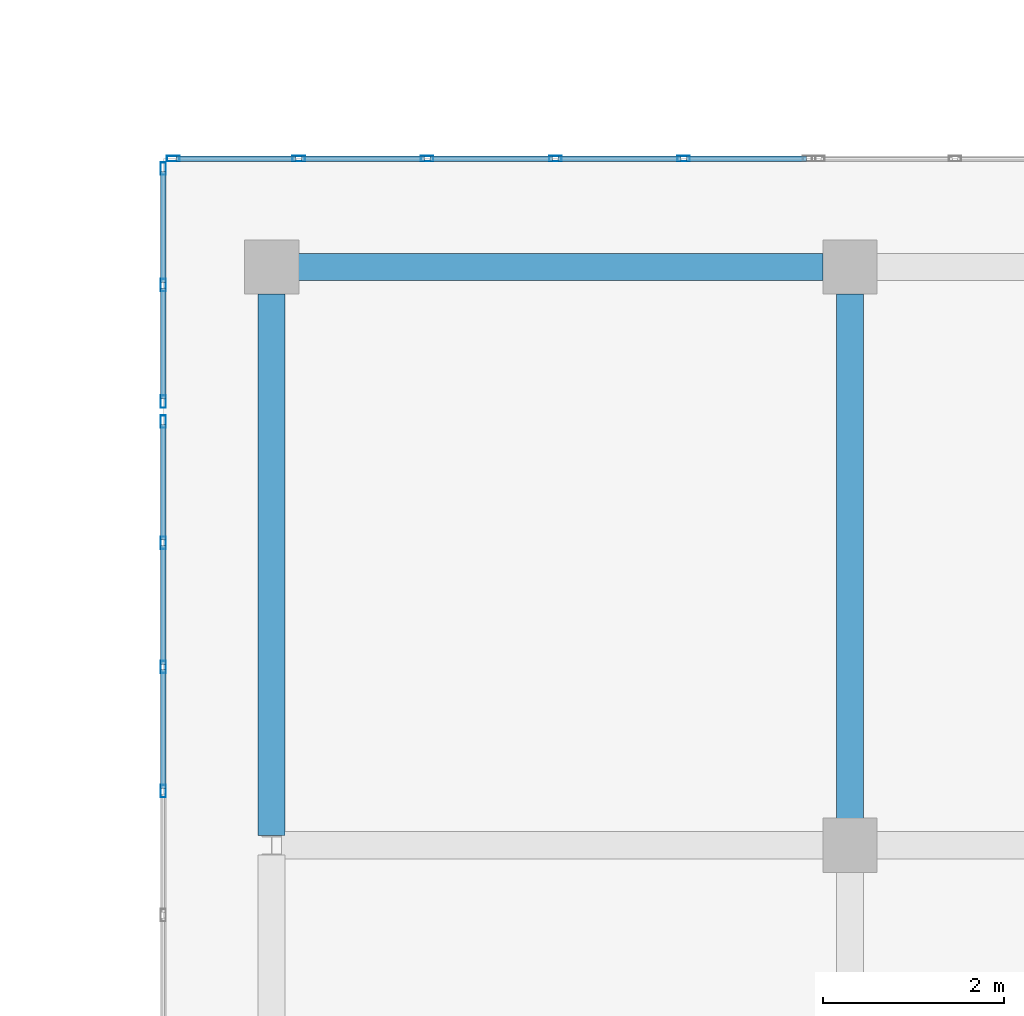
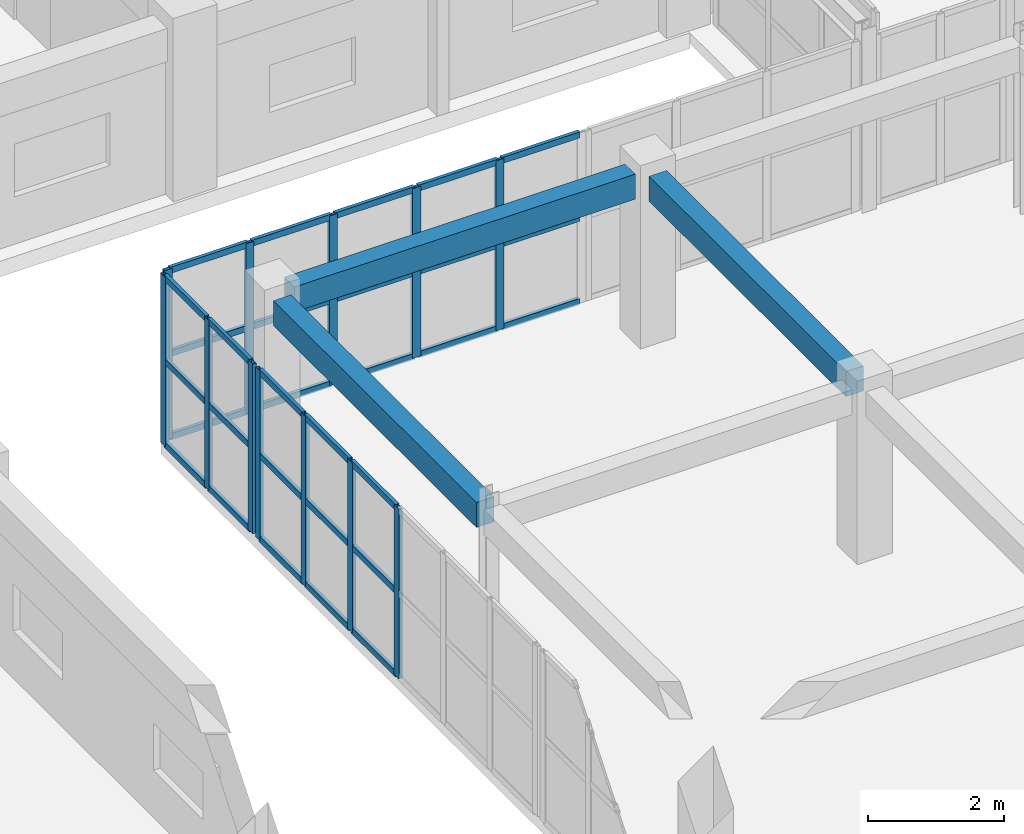
# One storey, part 85 of 200: 42 members, 3 beams, 3 elements without a shape of their own.
"""IFC4 building model written with IfcOpenShell, lengths in metres."""

from ifc_helpers import new_model, si_unit, direction, frame, origin, origin_2d, place, context, subcontext, project, spatial, rectangle, hollow_rectangle, extrude, material, layer, layer_set, material_profile, profile_set, type_object, element, aggregate, save


model = new_model("IFC4")

# Units and contexts
model_context = context("Model", 3, precision=1e-05, world=origin(), true_north=direction((0.0, 1.0)))
body_context = subcontext(model_context, "Body", "Model", "MODEL_VIEW")
ifc_project = project(units=[si_unit("LENGTHUNIT", "METRE"), si_unit("AREAUNIT", "SQUARE_METRE"), si_unit("VOLUMEUNIT", "CUBIC_METRE"), si_unit("PLANEANGLEUNIT", "RADIAN"), si_unit("MASSUNIT", "GRAM", prefix="KILO")], contexts=[model_context])

# Site, building, storey
site_placement = place(None, origin())
site = spatial("IfcSite", under=ifc_project, at=site_placement, CompositionType="ELEMENT")
building_placement = place(site_placement, origin())
building = spatial("IfcBuilding", under=site, at=building_placement, Name="Trelvath General Hospital", CompositionType="ELEMENT")
storey_placement = place(building_placement, frame((0.0, 0.0, 4.800048828125)))
storey = spatial("IfcBuildingStorey", under=building, at=storey_placement, Name="L01", CompositionType="ELEMENT", Elevation=4.800048828125)

# Beams
ifc_material_1 = material(Name="Concrete C35/45", Category="concrete")
ifc_material_profile_1 = material_profile(ifc_material_1, rectangle(XDim=0.300048828125, YDim=0.449951171875, at=origin_2d()), Name="RCB300x450")
ifc_profile_set_1 = profile_set([ifc_material_profile_1], Name="Concrete C35/45")
beam_type = type_object("IfcBeamType", Name="Beam RC300x450", PredefinedType="BEAM", material=ifc_profile_set_1)
beam_1_placement = place(storey_placement, frame((48.2958984375, 85.60009765625, 2.8349609375), z_axis=(1.0, 0.0, 0.0), x_axis=(0.0, 1.0, 0.0)))
element("IfcBeam", 1, at=beam_1_placement, inside=storey, type_object=beam_type, Name="Cube Interior Ring Beam CUBE-W-T0 L01", PredefinedType="BEAM", context=body_context, shape_type="SweptSolid", body=[
    extrude(rectangle(XDim=0.300048828125, YDim=0.449951171875, at=origin_2d()), origin(), (0.0, 0.0, 1.0), 5.80810546875),
])
beam_2_placement = place(storey_placement, frame((48.0, 79.305908203125, 2.8349609375), z_axis=(0.0, 1.0, 0.0), x_axis=(-1.0, 0.0, 0.0)))
element("IfcBeam", 2, at=beam_2_placement, inside=storey, type_object=beam_type, Name="Cube Interior Ring Beam CUBE-W-T0 L01", PredefinedType="BEAM", context=body_context, shape_type="SweptSolid", body=[
    extrude(rectangle(XDim=0.300048828125, YDim=0.449951171875, at=origin_2d()), origin(), (0.0, 0.0, 1.0), 5.998046875),
])
beam_3_placement = place(storey_placement, frame((54.39990234375, 79.49609375, 2.8349609375), z_axis=(0.0, 1.0, 0.0), x_axis=(-1.0, 0.0, 0.0)))
element("IfcBeam", 3, at=beam_3_placement, inside=storey, type_object=beam_type, Name="Cube Interior Ring Beam CUBE-W-T0 L01", PredefinedType="BEAM", context=body_context, shape_type="SweptSolid", body=[
    extrude(rectangle(XDim=0.300048828125, YDim=0.449951171875, at=origin_2d()), origin(), (0.0, 0.0, 1.0), 5.807861328125),
])

# Curtain wall, members
ifc_material_2 = material(Name="Anodised aluminium and low-E glass", Category="aluminium")
ifc_layer_1 = layer(ifc_material_2, 0.14990234375)
ifc_layer_set_1 = layer_set([ifc_layer_1], Name="Anodised aluminium and low-E glass")
curtain_wall_type_1 = type_object("IfcCurtainWallType", Name="CW CrystalCube 710 306 15", PredefinedType="USERDEFINED", material=ifc_layer_set_1)
curtain_wall_1_placement = place(storey_placement, origin())
curtain_wall_1 = element("IfcCurtainWall", 4, at=curtain_wall_1_placement, inside=storey, type_object=curtain_wall_type_1, Name="Crystal Cube Curtain Wall CUBE-W-T0 N1 L01", ObjectType="Unitised Glazed Curtain Wall", PredefinedType="USERDEFINED")
ifc_material_3 = material(Name="Anodised aluminium", Category="aluminium")
ifc_material_profile_2 = material_profile(ifc_material_3, hollow_rectangle(XDim=0.06005859375, YDim=0.139892578125, WallThickness=0.00390625, at=origin_2d()), Name="RHS60x140x4")
ifc_profile_set_2 = profile_set([ifc_material_profile_2], Name="Anodised aluminium")
member_type_1 = type_object("IfcMemberType", Name="CurtainMullion 60x140", PredefinedType="MULLION", material=ifc_profile_set_2)
member_1_placement = place(storey_placement, frame((46.909912109375, 86.800048828125, 0.0), z_axis=(0.0, 0.0, 1.0), x_axis=(0.0, 1.0, 0.0)))
member_1 = element("IfcMember", 5, at=member_1_placement, type_object=member_type_1, Name="CW-133 mullion 1", PredefinedType="MULLION", context=body_context, shape_type="SweptSolid", body=[
    extrude(hollow_rectangle(XDim=0.06005859375, YDim=0.139892578125, WallThickness=0.00390625, at=origin_2d()), origin(), (0.0, 0.0, 1.0), 3.06005859375),
])
member_2_placement = place(storey_placement, frame((48.300048828125, 86.800048828125, 0.0), z_axis=(0.0, 0.0, 1.0), x_axis=(0.0, 1.0, 0.0)))
member_2 = element("IfcMember", 6, at=member_2_placement, type_object=member_type_1, Name="CW-133 mullion 2", PredefinedType="MULLION", context=body_context, shape_type="SweptSolid", body=[
    extrude(hollow_rectangle(XDim=0.06005859375, YDim=0.139892578125, WallThickness=0.00390625, at=origin_2d()), origin(), (0.0, 0.0, 1.0), 3.06005859375),
])
member_3_placement = place(storey_placement, frame((49.719970703125, 86.800048828125, 0.0), z_axis=(0.0, 0.0, 1.0), x_axis=(0.0, 1.0, 0.0)))
member_3 = element("IfcMember", 7, at=member_3_placement, type_object=member_type_1, Name="CW-133 mullion 3", PredefinedType="MULLION", context=body_context, shape_type="SweptSolid", body=[
    extrude(hollow_rectangle(XDim=0.06005859375, YDim=0.139892578125, WallThickness=0.00390625, at=origin_2d()), origin(), (0.0, 0.0, 1.0), 3.06005859375),
])
member_4_placement = place(storey_placement, frame((51.139892578125, 86.800048828125, 0.0), z_axis=(0.0, 0.0, 1.0), x_axis=(0.0, 1.0, 0.0)))
member_4 = element("IfcMember", 8, at=member_4_placement, type_object=member_type_1, Name="CW-133 mullion 4", PredefinedType="MULLION", context=body_context, shape_type="SweptSolid", body=[
    extrude(hollow_rectangle(XDim=0.06005859375, YDim=0.139892578125, WallThickness=0.00390625, at=origin_2d()), origin(), (0.0, 0.0, 1.0), 3.06005859375),
])
member_5_placement = place(storey_placement, frame((52.56005859375, 86.800048828125, 0.0), z_axis=(0.0, 0.0, 1.0), x_axis=(0.0, 1.0, 0.0)))
member_5 = element("IfcMember", 9, at=member_5_placement, type_object=member_type_1, Name="CW-133 mullion 5", PredefinedType="MULLION", context=body_context, shape_type="SweptSolid", body=[
    extrude(hollow_rectangle(XDim=0.06005859375, YDim=0.139892578125, WallThickness=0.00390625, at=origin_2d()), origin(), (0.0, 0.0, 1.0), 3.06005859375),
])

ifc_material_4 = material(Name="Anodised aluminium and low-E glass", Category="aluminium")
ifc_layer_2 = layer(ifc_material_4, 0.14990234375)
ifc_layer_set_2 = layer_set([ifc_layer_2], Name="Anodised aluminium and low-E glass")
curtain_wall_type_2 = type_object("IfcCurtainWallType", Name="CW CrystalCube 824 306 15", PredefinedType="USERDEFINED", material=ifc_layer_set_2)
curtain_wall_2_placement = place(storey_placement, origin())
curtain_wall_2 = element("IfcCurtainWall", 10, at=curtain_wall_2_placement, inside=storey, type_object=curtain_wall_type_2, Name="Crystal Cube Curtain Wall CUBE-W-T0 W6 L01", ObjectType="Unitised Glazed Curtain Wall", PredefinedType="USERDEFINED")
member_6_placement = place(storey_placement, frame((46.800048828125, 79.800048828125, 0.0), z_axis=(0.0, 0.0, 1.0), x_axis=(-1.0, 0.0, 0.0)))
member_6 = element("IfcMember", 11, at=member_6_placement, type_object=member_type_1, Name="CW-146 mullion 4", PredefinedType="MULLION", context=body_context, shape_type="SweptSolid", body=[
    extrude(hollow_rectangle(XDim=0.06005859375, YDim=0.139892578125, WallThickness=0.00390625, at=origin_2d()), origin(), (0.0, 0.0, 1.0), 3.06005859375),
])
member_7_placement = place(storey_placement, frame((46.800048828125, 81.17333984375, 0.0), z_axis=(0.0, 0.0, 1.0), x_axis=(-1.0, 0.0, 0.0)))
member_7 = element("IfcMember", 12, at=member_7_placement, type_object=member_type_1, Name="CW-146 mullion 5", PredefinedType="MULLION", context=body_context, shape_type="SweptSolid", body=[
    extrude(hollow_rectangle(XDim=0.06005859375, YDim=0.139892578125, WallThickness=0.00390625, at=origin_2d()), origin(), (0.0, 0.0, 1.0), 3.06005859375),
])
member_8_placement = place(storey_placement, frame((46.800048828125, 82.546630859375, 0.0), z_axis=(0.0, 0.0, 1.0), x_axis=(-1.0, 0.0, 0.0)))
member_8 = element("IfcMember", 13, at=member_8_placement, type_object=member_type_1, Name="CW-146 mullion 6", PredefinedType="MULLION", context=body_context, shape_type="SweptSolid", body=[
    extrude(hollow_rectangle(XDim=0.06005859375, YDim=0.139892578125, WallThickness=0.00390625, at=origin_2d()), origin(), (0.0, 0.0, 1.0), 3.06005859375),
])
member_9_placement = place(storey_placement, frame((46.800048828125, 83.889892578125, 0.0), z_axis=(0.0, 0.0, 1.0), x_axis=(-1.0, 0.0, 0.0)))
member_9 = element("IfcMember", 14, at=member_9_placement, type_object=member_type_1, Name="CW-146 mullion 7", PredefinedType="MULLION", context=body_context, shape_type="SweptSolid", body=[
    extrude(hollow_rectangle(XDim=0.06005859375, YDim=0.139892578125, WallThickness=0.00390625, at=origin_2d()), origin(), (0.0, 0.0, 1.0), 3.06005859375),
])

ifc_material_5 = material(Name="Anodised aluminium and low-E glass", Category="aluminium")
ifc_layer_3 = layer(ifc_material_5, 0.14990234375)
ifc_layer_set_3 = layer_set([ifc_layer_3], Name="Anodised aluminium and low-E glass")
curtain_wall_type_3 = type_object("IfcCurtainWallType", Name="CW CrystalCube 264 306 15", PredefinedType="USERDEFINED", material=ifc_layer_set_3)
curtain_wall_3_placement = place(storey_placement, origin())
curtain_wall_3 = element("IfcCurtainWall", 15, at=curtain_wall_3_placement, inside=storey, type_object=curtain_wall_type_3, Name="Crystal Cube Curtain Wall CUBE-W-T0 W7 L01", ObjectType="Unitised Glazed Curtain Wall", PredefinedType="USERDEFINED")
member_10_placement = place(storey_placement, frame((46.800048828125, 84.110107421875, 0.0), z_axis=(0.0, 0.0, 1.0), x_axis=(-1.0, 0.0, 0.0)))
member_10 = element("IfcMember", 16, at=member_10_placement, type_object=member_type_1, Name="CW-148 mullion 1", PredefinedType="MULLION", context=body_context, shape_type="SweptSolid", body=[
    extrude(hollow_rectangle(XDim=0.06005859375, YDim=0.139892578125, WallThickness=0.00390625, at=origin_2d()), origin(), (0.0, 0.0, 1.0), 3.06005859375),
])
member_11_placement = place(storey_placement, frame((46.800048828125, 85.39990234375, 0.0), z_axis=(0.0, 0.0, 1.0), x_axis=(-1.0, 0.0, 0.0)))
member_11 = element("IfcMember", 17, at=member_11_placement, type_object=member_type_1, Name="CW-148 mullion 2", PredefinedType="MULLION", context=body_context, shape_type="SweptSolid", body=[
    extrude(hollow_rectangle(XDim=0.06005859375, YDim=0.139892578125, WallThickness=0.00390625, at=origin_2d()), origin(), (0.0, 0.0, 1.0), 3.06005859375),
])
member_12_placement = place(storey_placement, frame((46.800048828125, 86.68994140625, 0.0), z_axis=(0.0, 0.0, 1.0), x_axis=(-1.0, 0.0, 0.0)))
member_12 = element("IfcMember", 18, at=member_12_placement, type_object=member_type_1, Name="CW-148 mullion 3", PredefinedType="MULLION", context=body_context, shape_type="SweptSolid", body=[
    extrude(hollow_rectangle(XDim=0.06005859375, YDim=0.139892578125, WallThickness=0.00390625, at=origin_2d()), origin(), (0.0, 0.0, 1.0), 3.06005859375),
])

# Member
ifc_material_6 = material(Name="Anodised aluminium", Category="aluminium")
ifc_material_profile_3 = material_profile(ifc_material_6, hollow_rectangle(XDim=0.06005859375, YDim=0.110107421875, WallThickness=0.00390625, at=origin_2d()), Name="RHS60x110x4")
ifc_profile_set_3 = profile_set([ifc_material_profile_3], Name="Anodised aluminium")
member_type_2 = type_object("IfcMemberType", Name="CurtainTransom 60x110", PredefinedType="USERDEFINED", material=ifc_profile_set_3)
member_13_placement = place(storey_placement, frame((46.93994140625, 86.800048828125, 0.030029296875), z_axis=(1.0, 0.0, 0.0), x_axis=(0.0, 1.0, 0.0)))
member_13 = element("IfcMember", 19, at=member_13_placement, type_object=member_type_2, Name="CW-133 transom 1.1", ObjectType="TRANSOM", PredefinedType="USERDEFINED", context=body_context, shape_type="SweptSolid", body=[
    extrude(hollow_rectangle(XDim=0.06005859375, YDim=0.110107421875, WallThickness=0.00390625, at=origin_2d()), origin(), (0.0, 0.0, 1.0), 1.330078125),
])

member_14_placement = place(storey_placement, frame((46.93994140625, 86.800048828125, 1.530029296875), z_axis=(1.0, 0.0, 0.0), x_axis=(0.0, 1.0, 0.0)))
member_14 = element("IfcMember", 20, at=member_14_placement, type_object=member_type_2, Name="CW-133 transom 1.2", ObjectType="TRANSOM", PredefinedType="USERDEFINED", context=body_context, shape_type="SweptSolid", body=[
    extrude(hollow_rectangle(XDim=0.06005859375, YDim=0.110107421875, WallThickness=0.00390625, at=origin_2d()), origin(), (0.0, 0.0, 1.0), 1.330078125),
])

member_15_placement = place(storey_placement, frame((46.93994140625, 86.800048828125, 3.030029296875), z_axis=(1.0, 0.0, 0.0), x_axis=(0.0, 1.0, 0.0)))
member_15 = element("IfcMember", 21, at=member_15_placement, type_object=member_type_2, Name="CW-133 transom 1.3", ObjectType="TRANSOM", PredefinedType="USERDEFINED", context=body_context, shape_type="SweptSolid", body=[
    extrude(hollow_rectangle(XDim=0.06005859375, YDim=0.110107421875, WallThickness=0.00390625, at=origin_2d()), origin(), (0.0, 0.0, 1.0), 1.330078125),
])

member_16_placement = place(storey_placement, frame((48.330078125, 86.800048828125, 0.030029296875), z_axis=(1.0, 0.0, 0.0), x_axis=(0.0, 1.0, 0.0)))
member_16 = element("IfcMember", 22, at=member_16_placement, type_object=member_type_2, Name="CW-133 transom 2.1", ObjectType="TRANSOM", PredefinedType="USERDEFINED", context=body_context, shape_type="SweptSolid", body=[
    extrude(hollow_rectangle(XDim=0.06005859375, YDim=0.110107421875, WallThickness=0.00390625, at=origin_2d()), origin(), (0.0, 0.0, 1.0), 1.35986328125),
])

member_17_placement = place(storey_placement, frame((48.330078125, 86.800048828125, 1.530029296875), z_axis=(1.0, 0.0, 0.0), x_axis=(0.0, 1.0, 0.0)))
member_17 = element("IfcMember", 23, at=member_17_placement, type_object=member_type_2, Name="CW-133 transom 2.2", ObjectType="TRANSOM", PredefinedType="USERDEFINED", context=body_context, shape_type="SweptSolid", body=[
    extrude(hollow_rectangle(XDim=0.06005859375, YDim=0.110107421875, WallThickness=0.00390625, at=origin_2d()), origin(), (0.0, 0.0, 1.0), 1.35986328125),
])

member_18_placement = place(storey_placement, frame((48.330078125, 86.800048828125, 3.030029296875), z_axis=(1.0, 0.0, 0.0), x_axis=(0.0, 1.0, 0.0)))
member_18 = element("IfcMember", 24, at=member_18_placement, type_object=member_type_2, Name="CW-133 transom 2.3", ObjectType="TRANSOM", PredefinedType="USERDEFINED", context=body_context, shape_type="SweptSolid", body=[
    extrude(hollow_rectangle(XDim=0.06005859375, YDim=0.110107421875, WallThickness=0.00390625, at=origin_2d()), origin(), (0.0, 0.0, 1.0), 1.35986328125),
])

member_19_placement = place(storey_placement, frame((49.75, 86.800048828125, 0.030029296875), z_axis=(1.0, 0.0, 0.0), x_axis=(0.0, 1.0, 0.0)))
member_19 = element("IfcMember", 25, at=member_19_placement, type_object=member_type_2, Name="CW-133 transom 3.1", ObjectType="TRANSOM", PredefinedType="USERDEFINED", context=body_context, shape_type="SweptSolid", body=[
    extrude(hollow_rectangle(XDim=0.06005859375, YDim=0.110107421875, WallThickness=0.00390625, at=origin_2d()), origin(), (0.0, 0.0, 1.0), 1.360107421875),
])

member_20_placement = place(storey_placement, frame((49.75, 86.800048828125, 1.530029296875), z_axis=(1.0, 0.0, 0.0), x_axis=(0.0, 1.0, 0.0)))
member_20 = element("IfcMember", 26, at=member_20_placement, type_object=member_type_2, Name="CW-133 transom 3.2", ObjectType="TRANSOM", PredefinedType="USERDEFINED", context=body_context, shape_type="SweptSolid", body=[
    extrude(hollow_rectangle(XDim=0.06005859375, YDim=0.110107421875, WallThickness=0.00390625, at=origin_2d()), origin(), (0.0, 0.0, 1.0), 1.360107421875),
])

member_21_placement = place(storey_placement, frame((49.75, 86.800048828125, 3.030029296875), z_axis=(1.0, 0.0, 0.0), x_axis=(0.0, 1.0, 0.0)))
member_21 = element("IfcMember", 27, at=member_21_placement, type_object=member_type_2, Name="CW-133 transom 3.3", ObjectType="TRANSOM", PredefinedType="USERDEFINED", context=body_context, shape_type="SweptSolid", body=[
    extrude(hollow_rectangle(XDim=0.06005859375, YDim=0.110107421875, WallThickness=0.00390625, at=origin_2d()), origin(), (0.0, 0.0, 1.0), 1.360107421875),
])

member_22_placement = place(storey_placement, frame((51.169921875, 86.800048828125, 0.030029296875), z_axis=(1.0, 0.0, 0.0), x_axis=(0.0, 1.0, 0.0)))
member_22 = element("IfcMember", 28, at=member_22_placement, type_object=member_type_2, Name="CW-133 transom 4.1", ObjectType="TRANSOM", PredefinedType="USERDEFINED", context=body_context, shape_type="SweptSolid", body=[
    extrude(hollow_rectangle(XDim=0.06005859375, YDim=0.110107421875, WallThickness=0.00390625, at=origin_2d()), origin(), (0.0, 0.0, 1.0), 1.360107421875),
])

member_23_placement = place(storey_placement, frame((51.169921875, 86.800048828125, 1.530029296875), z_axis=(1.0, 0.0, 0.0), x_axis=(0.0, 1.0, 0.0)))
member_23 = element("IfcMember", 29, at=member_23_placement, type_object=member_type_2, Name="CW-133 transom 4.2", ObjectType="TRANSOM", PredefinedType="USERDEFINED", context=body_context, shape_type="SweptSolid", body=[
    extrude(hollow_rectangle(XDim=0.06005859375, YDim=0.110107421875, WallThickness=0.00390625, at=origin_2d()), origin(), (0.0, 0.0, 1.0), 1.360107421875),
])

member_24_placement = place(storey_placement, frame((51.169921875, 86.800048828125, 3.030029296875), z_axis=(1.0, 0.0, 0.0), x_axis=(0.0, 1.0, 0.0)))
member_24 = element("IfcMember", 30, at=member_24_placement, type_object=member_type_2, Name="CW-133 transom 4.3", ObjectType="TRANSOM", PredefinedType="USERDEFINED", context=body_context, shape_type="SweptSolid", body=[
    extrude(hollow_rectangle(XDim=0.06005859375, YDim=0.110107421875, WallThickness=0.00390625, at=origin_2d()), origin(), (0.0, 0.0, 1.0), 1.360107421875),
])

member_25_placement = place(storey_placement, frame((52.590087890625, 86.800048828125, 0.030029296875), z_axis=(1.0, 0.0, 0.0), x_axis=(0.0, 1.0, 0.0)))
member_25 = element("IfcMember", 31, at=member_25_placement, type_object=member_type_2, Name="CW-133 transom 5.1", ObjectType="TRANSOM", PredefinedType="USERDEFINED", context=body_context, shape_type="SweptSolid", body=[
    extrude(hollow_rectangle(XDim=0.06005859375, YDim=0.110107421875, WallThickness=0.00390625, at=origin_2d()), origin(), (0.0, 0.0, 1.0), 1.329833984375),
])

member_26_placement = place(storey_placement, frame((52.590087890625, 86.800048828125, 1.530029296875), z_axis=(1.0, 0.0, 0.0), x_axis=(0.0, 1.0, 0.0)))
member_26 = element("IfcMember", 32, at=member_26_placement, type_object=member_type_2, Name="CW-133 transom 5.2", ObjectType="TRANSOM", PredefinedType="USERDEFINED", context=body_context, shape_type="SweptSolid", body=[
    extrude(hollow_rectangle(XDim=0.06005859375, YDim=0.110107421875, WallThickness=0.00390625, at=origin_2d()), origin(), (0.0, 0.0, 1.0), 1.329833984375),
])

member_27_placement = place(storey_placement, frame((52.590087890625, 86.800048828125, 3.030029296875), z_axis=(1.0, 0.0, 0.0), x_axis=(0.0, 1.0, 0.0)))
member_27 = element("IfcMember", 33, at=member_27_placement, type_object=member_type_2, Name="CW-133 transom 5.3", ObjectType="TRANSOM", PredefinedType="USERDEFINED", context=body_context, shape_type="SweptSolid", body=[
    extrude(hollow_rectangle(XDim=0.06005859375, YDim=0.110107421875, WallThickness=0.00390625, at=origin_2d()), origin(), (0.0, 0.0, 1.0), 1.329833984375),
])

aggregate(curtain_wall_1, [member_1, member_2, member_3, member_4, member_5, member_13, member_14, member_15, member_16, member_17, member_18, member_19, member_20, member_21, member_22, member_23, member_24, member_25, member_26, member_27])

member_28_placement = place(storey_placement, frame((46.800048828125, 79.830078125, 0.030029296875), z_axis=(0.0, 1.0, 0.0), x_axis=(-1.0, 0.0, 0.0)))
member_28 = element("IfcMember", 34, at=member_28_placement, type_object=member_type_2, Name="CW-146 transom 4.1", ObjectType="TRANSOM", PredefinedType="USERDEFINED", context=body_context, shape_type="SweptSolid", body=[
    extrude(hollow_rectangle(XDim=0.06005859375, YDim=0.110107421875, WallThickness=0.00390625, at=origin_2d()), origin(), (0.0, 0.0, 1.0), 1.313232421875),
])

member_29_placement = place(storey_placement, frame((46.800048828125, 79.830078125, 1.530029296875), z_axis=(0.0, 1.0, 0.0), x_axis=(-1.0, 0.0, 0.0)))
member_29 = element("IfcMember", 35, at=member_29_placement, type_object=member_type_2, Name="CW-146 transom 4.2", ObjectType="TRANSOM", PredefinedType="USERDEFINED", context=body_context, shape_type="SweptSolid", body=[
    extrude(hollow_rectangle(XDim=0.06005859375, YDim=0.110107421875, WallThickness=0.00390625, at=origin_2d()), origin(), (0.0, 0.0, 1.0), 1.313232421875),
])

member_30_placement = place(storey_placement, frame((46.800048828125, 79.830078125, 3.030029296875), z_axis=(0.0, 1.0, 0.0), x_axis=(-1.0, 0.0, 0.0)))
member_30 = element("IfcMember", 36, at=member_30_placement, type_object=member_type_2, Name="CW-146 transom 4.3", ObjectType="TRANSOM", PredefinedType="USERDEFINED", context=body_context, shape_type="SweptSolid", body=[
    extrude(hollow_rectangle(XDim=0.06005859375, YDim=0.110107421875, WallThickness=0.00390625, at=origin_2d()), origin(), (0.0, 0.0, 1.0), 1.313232421875),
])

member_31_placement = place(storey_placement, frame((46.800048828125, 81.203369140625, 0.030029296875), z_axis=(0.0, 1.0, 0.0), x_axis=(-1.0, 0.0, 0.0)))
member_31 = element("IfcMember", 37, at=member_31_placement, type_object=member_type_2, Name="CW-146 transom 5.1", ObjectType="TRANSOM", PredefinedType="USERDEFINED", context=body_context, shape_type="SweptSolid", body=[
    extrude(hollow_rectangle(XDim=0.06005859375, YDim=0.110107421875, WallThickness=0.00390625, at=origin_2d()), origin(), (0.0, 0.0, 1.0), 1.313232421875),
])

member_32_placement = place(storey_placement, frame((46.800048828125, 81.203369140625, 1.530029296875), z_axis=(0.0, 1.0, 0.0), x_axis=(-1.0, 0.0, 0.0)))
member_32 = element("IfcMember", 38, at=member_32_placement, type_object=member_type_2, Name="CW-146 transom 5.2", ObjectType="TRANSOM", PredefinedType="USERDEFINED", context=body_context, shape_type="SweptSolid", body=[
    extrude(hollow_rectangle(XDim=0.06005859375, YDim=0.110107421875, WallThickness=0.00390625, at=origin_2d()), origin(), (0.0, 0.0, 1.0), 1.313232421875),
])

member_33_placement = place(storey_placement, frame((46.800048828125, 81.203369140625, 3.030029296875), z_axis=(0.0, 1.0, 0.0), x_axis=(-1.0, 0.0, 0.0)))
member_33 = element("IfcMember", 39, at=member_33_placement, type_object=member_type_2, Name="CW-146 transom 5.3", ObjectType="TRANSOM", PredefinedType="USERDEFINED", context=body_context, shape_type="SweptSolid", body=[
    extrude(hollow_rectangle(XDim=0.06005859375, YDim=0.110107421875, WallThickness=0.00390625, at=origin_2d()), origin(), (0.0, 0.0, 1.0), 1.313232421875),
])

member_34_placement = place(storey_placement, frame((46.800048828125, 82.57666015625, 0.030029296875), z_axis=(0.0, 1.0, 0.0), x_axis=(-1.0, 0.0, 0.0)))
member_34 = element("IfcMember", 40, at=member_34_placement, type_object=member_type_2, Name="CW-146 transom 6.1", ObjectType="TRANSOM", PredefinedType="USERDEFINED", context=body_context, shape_type="SweptSolid", body=[
    extrude(hollow_rectangle(XDim=0.06005859375, YDim=0.110107421875, WallThickness=0.00390625, at=origin_2d()), origin(), (0.0, 0.0, 1.0), 1.283447265625),
])

member_35_placement = place(storey_placement, frame((46.800048828125, 82.57666015625, 1.530029296875), z_axis=(0.0, 1.0, 0.0), x_axis=(-1.0, 0.0, 0.0)))
member_35 = element("IfcMember", 41, at=member_35_placement, type_object=member_type_2, Name="CW-146 transom 6.2", ObjectType="TRANSOM", PredefinedType="USERDEFINED", context=body_context, shape_type="SweptSolid", body=[
    extrude(hollow_rectangle(XDim=0.06005859375, YDim=0.110107421875, WallThickness=0.00390625, at=origin_2d()), origin(), (0.0, 0.0, 1.0), 1.283447265625),
])

member_36_placement = place(storey_placement, frame((46.800048828125, 82.57666015625, 3.030029296875), z_axis=(0.0, 1.0, 0.0), x_axis=(-1.0, 0.0, 0.0)))
member_36 = element("IfcMember", 42, at=member_36_placement, type_object=member_type_2, Name="CW-146 transom 6.3", ObjectType="TRANSOM", PredefinedType="USERDEFINED", context=body_context, shape_type="SweptSolid", body=[
    extrude(hollow_rectangle(XDim=0.06005859375, YDim=0.110107421875, WallThickness=0.00390625, at=origin_2d()), origin(), (0.0, 0.0, 1.0), 1.283447265625),
])

aggregate(curtain_wall_2, [member_6, member_7, member_8, member_9, member_28, member_29, member_30, member_31, member_32, member_33, member_34, member_35, member_36])

member_37_placement = place(storey_placement, frame((46.800048828125, 84.139892578125, 0.030029296875), z_axis=(0.0, 1.0, 0.0), x_axis=(-1.0, 0.0, 0.0)))
member_37 = element("IfcMember", 43, at=member_37_placement, type_object=member_type_2, Name="CW-148 transom 1.1", ObjectType="TRANSOM", PredefinedType="USERDEFINED", context=body_context, shape_type="SweptSolid", body=[
    extrude(hollow_rectangle(XDim=0.06005859375, YDim=0.110107421875, WallThickness=0.00390625, at=origin_2d()), origin(), (0.0, 0.0, 1.0), 1.230224609375),
])

member_38_placement = place(storey_placement, frame((46.800048828125, 84.139892578125, 1.530029296875), z_axis=(0.0, 1.0, 0.0), x_axis=(-1.0, 0.0, 0.0)))
member_38 = element("IfcMember", 44, at=member_38_placement, type_object=member_type_2, Name="CW-148 transom 1.2", ObjectType="TRANSOM", PredefinedType="USERDEFINED", context=body_context, shape_type="SweptSolid", body=[
    extrude(hollow_rectangle(XDim=0.06005859375, YDim=0.110107421875, WallThickness=0.00390625, at=origin_2d()), origin(), (0.0, 0.0, 1.0), 1.230224609375),
])

member_39_placement = place(storey_placement, frame((46.800048828125, 84.139892578125, 3.030029296875), z_axis=(0.0, 1.0, 0.0), x_axis=(-1.0, 0.0, 0.0)))
member_39 = element("IfcMember", 45, at=member_39_placement, type_object=member_type_2, Name="CW-148 transom 1.3", ObjectType="TRANSOM", PredefinedType="USERDEFINED", context=body_context, shape_type="SweptSolid", body=[
    extrude(hollow_rectangle(XDim=0.06005859375, YDim=0.110107421875, WallThickness=0.00390625, at=origin_2d()), origin(), (0.0, 0.0, 1.0), 1.230224609375),
])

member_40_placement = place(storey_placement, frame((46.800048828125, 85.429931640625, 0.030029296875), z_axis=(0.0, 1.0, 0.0), x_axis=(-1.0, 0.0, 0.0)))
member_40 = element("IfcMember", 46, at=member_40_placement, type_object=member_type_2, Name="CW-148 transom 2.1", ObjectType="TRANSOM", PredefinedType="USERDEFINED", context=body_context, shape_type="SweptSolid", body=[
    extrude(hollow_rectangle(XDim=0.06005859375, YDim=0.110107421875, WallThickness=0.00390625, at=origin_2d()), origin(), (0.0, 0.0, 1.0), 1.22998046875),
])

member_41_placement = place(storey_placement, frame((46.800048828125, 85.429931640625, 1.530029296875), z_axis=(0.0, 1.0, 0.0), x_axis=(-1.0, 0.0, 0.0)))
member_41 = element("IfcMember", 47, at=member_41_placement, type_object=member_type_2, Name="CW-148 transom 2.2", ObjectType="TRANSOM", PredefinedType="USERDEFINED", context=body_context, shape_type="SweptSolid", body=[
    extrude(hollow_rectangle(XDim=0.06005859375, YDim=0.110107421875, WallThickness=0.00390625, at=origin_2d()), origin(), (0.0, 0.0, 1.0), 1.22998046875),
])

member_42_placement = place(storey_placement, frame((46.800048828125, 85.429931640625, 3.030029296875), z_axis=(0.0, 1.0, 0.0), x_axis=(-1.0, 0.0, 0.0)))
member_42 = element("IfcMember", 48, at=member_42_placement, type_object=member_type_2, Name="CW-148 transom 2.3", ObjectType="TRANSOM", PredefinedType="USERDEFINED", context=body_context, shape_type="SweptSolid", body=[
    extrude(hollow_rectangle(XDim=0.06005859375, YDim=0.110107421875, WallThickness=0.00390625, at=origin_2d()), origin(), (0.0, 0.0, 1.0), 1.22998046875),
])

aggregate(curtain_wall_3, [member_10, member_11, member_12, member_37, member_38, member_39, member_40, member_41, member_42])

save(model, "model.ifc")
